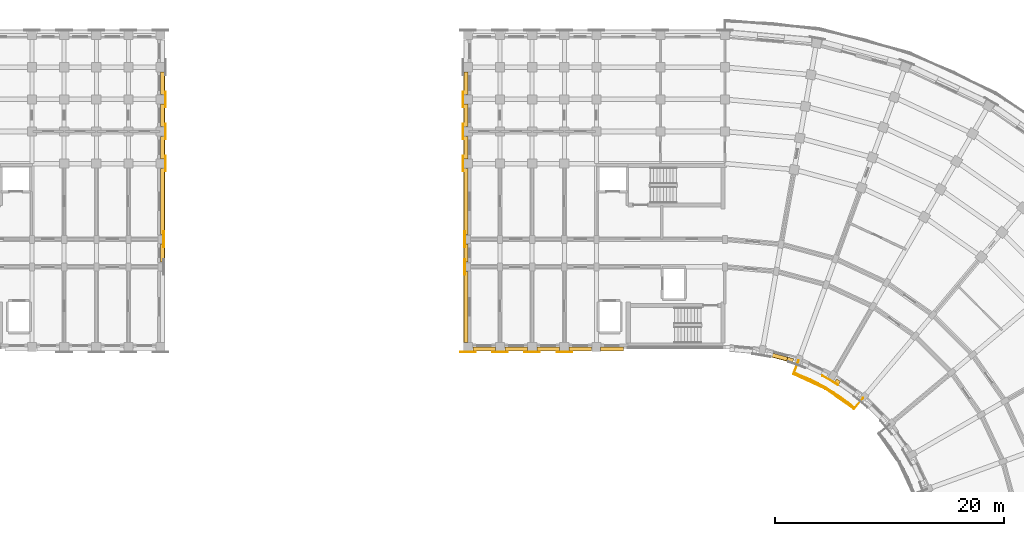
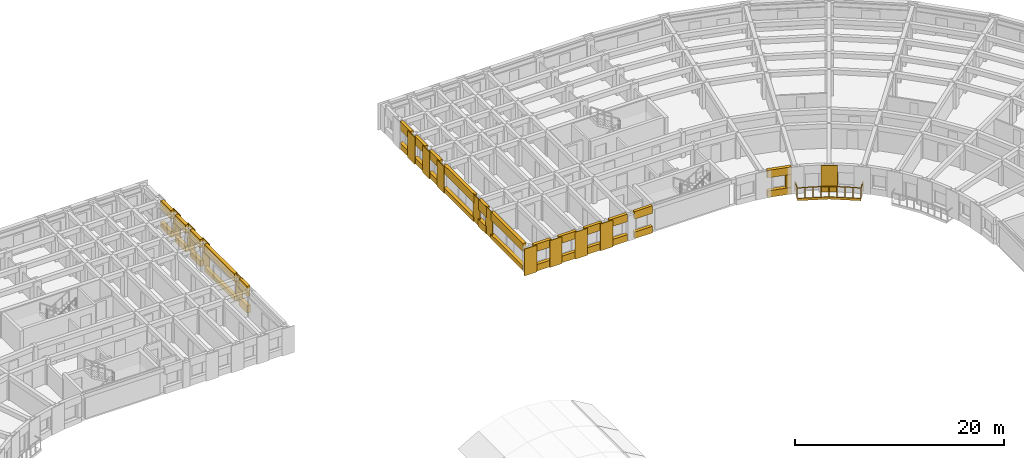
# One storey, part 48 of 54: 51 coverings, 1 railing.
"""IFC4 building model written with IfcOpenShell, lengths in metres."""

from ifc_helpers import new_model, si_unit, direction, frame, origin, origin_2d, place, context, subcontext, project, spatial, polyline, circle, outline, extrude, material, layer, layer_set, type_object, element, save


model = new_model("IFC4")

# Units and contexts
model_context = context("Model", 3, precision=1e-05, world=origin(), true_north=direction((0.0, 1.0)))
body_context = subcontext(model_context, "Body", "Model", "MODEL_VIEW")
ifc_project = project(units=[si_unit("LENGTHUNIT", "METRE"), si_unit("AREAUNIT", "SQUARE_METRE"), si_unit("VOLUMEUNIT", "CUBIC_METRE"), si_unit("PLANEANGLEUNIT", "RADIAN"), si_unit("MASSUNIT", "GRAM", prefix="KILO")], contexts=[model_context])

# Site, building, storey
site_placement = place(None, origin())
site = spatial("IfcSite", under=ifc_project, at=site_placement, CompositionType="ELEMENT")
building_placement = place(site_placement, origin())
building = spatial("IfcBuilding", under=site, at=building_placement, Name="Kiranvali Square Residences", CompositionType="ELEMENT")
storey_placement = place(building_placement, frame((0.0, 0.0, 15.0)))
storey = spatial("IfcBuildingStorey", under=building, at=storey_placement, Name="L04", CompositionType="ELEMENT", Elevation=15.0)

# Coverings
ifc_material_1 = material(Name="Carved Porbandar limestone classical entablature and cornice", Category="masonry")
ifc_layer_1 = layer(ifc_material_1, 0.06201171875)
ifc_layer_set_1 = layer_set([ifc_layer_1], Name="Carved Porbandar limestone classical entablature and cornice")
covering_type_1 = type_object("IfcCoveringType", Name="COV-CLAD-GBAL", PredefinedType="CLADDING", material=ifc_layer_set_1)
covering_1_placement = place(storey_placement, frame((0.0, 0.0, -0.219970703125)))
element("IfcCovering", 1, at=covering_1_placement, inside=storey, type_object=covering_type_1, Name="Block B L04 garden balcony limestone fascia 1", PredefinedType="CLADDING", context=body_context, shape_type="SweptSolid", body=[
    extrude(outline(polyline([(125.778564453125, 104.225830078125), (128.5400390625, 102.938232421875), (131.035888671875, 101.1904296875), (131.07958984375, 101.242431640625), (128.573974609375, 102.9970703125), (125.8017578125, 104.289794921875), (125.778564453125, 104.225830078125)])), origin(), (0.0, 0.0, 1.0), 0.27001953125),
])
ifc_material_2 = material(Name="Honed Porbandar limestone ashlar facade cladding", Category="masonry")
ifc_layer_2 = layer(ifc_material_2, 0.3798828125)
ifc_layer_set_2 = layer_set([ifc_layer_2], Name="Honed Porbandar limestone ashlar facade cladding")
covering_type_2 = type_object("IfcCoveringType", Name="COV-CLAD-JAMB", PredefinedType="CLADDING", material=ifc_layer_set_2)
covering_2_placement = place(storey_placement, frame((0.0, 0.0, 0.77197265625)))
element("IfcCovering", 2, at=covering_2_placement, inside=storey, type_object=covering_type_2, Name="L04 deep limestone window jamb reveal B-L04-GDN-01.R", PredefinedType="CLADDING", context=body_context, shape_type="SweptSolid", body=[
    extrude(outline(polyline([(125.187255859375, 105.3935546875), (125.717041015625, 105.251708984375), (125.804931640625, 105.57958984375), (125.27490234375, 105.7216796875), (125.187255859375, 105.3935546875)])), origin(), (0.0, 0.0, 1.0), 1.5),
])
covering_3_placement = place(storey_placement, frame((0.0, 0.0, 0.6220703125)))
element("IfcCovering", 3, at=covering_3_placement, inside=storey, type_object=covering_type_2, Name="L04 deep limestone window jamb reveal B-L04-GDN-03.L", PredefinedType="CLADDING", context=body_context, shape_type="SweptSolid", body=[
    extrude(outline(polyline([(129.365478515625, 103.55029296875), (129.69189453125, 103.32177734375), (129.88671875, 103.599853515625), (129.56005859375, 103.828369140625), (129.365478515625, 103.55029296875)])), origin(), (0.0, 0.0, 1.0), 1.64990234375),
])
ifc_layer_3 = layer(ifc_material_2, 0.050048828125)
ifc_layer_set_3 = layer_set([ifc_layer_3], Name="Honed Porbandar limestone ashlar facade cladding")
covering_type_3 = type_object("IfcCoveringType", Name="COV-CLAD-PIER-IN", PredefinedType="CLADDING", material=ifc_layer_set_3)
covering_4_placement = place(storey_placement, frame((0.0, 0.0, 0.0048828125)))
element("IfcCovering", 4, at=covering_4_placement, inside=storey, type_object=covering_type_3, Name="L04 Classical garden courtyard pilaster CLAD-PRIN-B-L04-A03", PredefinedType="CLADDING", context=body_context, shape_type="SweptSolid", body=[
    extrude(outline(polyline([(128.273193359375, 104.075927734375), (129.658935546875, 103.27587890625), (129.692626953125, 103.33447265625), (128.306884765625, 104.134521484375), (128.273193359375, 104.075927734375)])), origin(), (0.0, 0.0, 1.0), 3.14013671875),
])
covering_5_placement = place(storey_placement, frame((0.0, 0.0, 0.0048828125)))
element("IfcCovering", 5, at=covering_5_placement, inside=storey, type_object=covering_type_3, Name="L04 Classical limestone pilaster casing CLAD-PRA1I-B-L04-U140", PredefinedType="CLADDING", context=body_context, shape_type="SweptSolid", body=[
    extrude(outline(polyline([(106.47998046875, 106.199462890625), (105.1201171875, 106.199462890625), (105.1201171875, 106.132080078125), (106.47998046875, 106.132080078125), (106.47998046875, 106.199462890625)])), origin(), (0.0, 0.0, 1.0), 3.14013671875),
])
covering_6_placement = place(storey_placement, frame((0.0, 0.0, 0.0048828125)))
element("IfcCovering", 6, at=covering_6_placement, inside=storey, type_object=covering_type_3, Name="L04 Classical limestone pilaster casing CLAD-PRA1I-B-L04-U167", PredefinedType="CLADDING", context=body_context, shape_type="SweptSolid", body=[
    extrude(outline(polyline([(103.679931640625, 106.199462890625), (102.320068359375, 106.199462890625), (102.320068359375, 106.132080078125), (103.679931640625, 106.132080078125), (103.679931640625, 106.199462890625)])), origin(), (0.0, 0.0, 1.0), 3.14013671875),
])
covering_7_placement = place(storey_placement, frame((0.0, 0.0, 0.0048828125)))
element("IfcCovering", 7, at=covering_7_placement, inside=storey, type_object=covering_type_3, Name="L04 Classical limestone pilaster casing CLAD-PRA1I-B-L04-U195", PredefinedType="CLADDING", context=body_context, shape_type="SweptSolid", body=[
    extrude(outline(polyline([(100.8798828125, 106.199462890625), (99.52001953125, 106.199462890625), (99.52001953125, 106.132080078125), (100.8798828125, 106.132080078125), (100.8798828125, 106.199462890625)])), origin(), (0.0, 0.0, 1.0), 3.14013671875),
])
covering_8_placement = place(storey_placement, frame((0.0, 0.0, 0.0048828125)))
element("IfcCovering", 8, at=covering_8_placement, inside=storey, type_object=covering_type_3, Name="L04 Classical limestone pilaster casing CLAD-PRA1I-B-L04-U224", PredefinedType="CLADDING", context=body_context, shape_type="SweptSolid", body=[
    extrude(outline(polyline([(98.080078125, 106.199462890625), (96.719970703125, 106.199462890625), (96.719970703125, 106.132080078125), (98.080078125, 106.132080078125), (98.080078125, 106.199462890625)])), origin(), (0.0, 0.0, 1.0), 3.14013671875),
])
ifc_layer_4 = layer(ifc_material_2, 0.054931640625)
ifc_layer_set_4 = layer_set([ifc_layer_4], Name="Honed Porbandar limestone ashlar facade cladding")
covering_type_4 = type_object("IfcCoveringType", Name="COV-CLAD-PIER-UP", PredefinedType="CLADDING", material=ifc_layer_set_4)
covering_9_placement = place(storey_placement, frame((0.0, 0.0, 0.0048828125)))
element("IfcCovering", 9, at=covering_9_placement, inside=storey, type_object=covering_type_4, Name="L04 Classical limestone pilaster casing CLAD-PRA1E-A-L04-R282", PredefinedType="CLADDING", context=body_context, shape_type="SweptSolid", body=[
    extrude(outline(polyline([(70.91796875, 115.320068359375), (70.91796875, 116.679931640625), (70.8505859375, 116.679931640625), (70.8505859375, 115.320068359375), (70.91796875, 115.320068359375)])), origin(), (0.0, 0.0, 1.0), 3.14013671875),
])
covering_10_placement = place(storey_placement, frame((0.0, 0.0, 0.0048828125)))
element("IfcCovering", 10, at=covering_10_placement, inside=storey, type_object=covering_type_4, Name="L04 Classical limestone pilaster casing CLAD-PRA1E-A-L04-R348", PredefinedType="CLADDING", context=body_context, shape_type="SweptSolid", body=[
    extrude(outline(polyline([(71.068115234375, 121.919921875), (71.068115234375, 123.280029296875), (71.00048828125, 123.280029296875), (71.00048828125, 121.919921875), (71.068115234375, 121.919921875)])), origin(), (0.0, 0.0, 1.0), 3.14013671875),
])
covering_11_placement = place(storey_placement, frame((0.0, 0.0, 0.0048828125)))
element("IfcCovering", 11, at=covering_11_placement, inside=storey, type_object=covering_type_4, Name="L04 Classical limestone pilaster casing CLAD-PRA1E-A-L04-R376", PredefinedType="CLADDING", context=body_context, shape_type="SweptSolid", body=[
    extrude(outline(polyline([(71.068115234375, 124.719970703125), (71.068115234375, 126.080078125), (71.00048828125, 126.080078125), (71.00048828125, 124.719970703125), (71.068115234375, 124.719970703125)])), origin(), (0.0, 0.0, 1.0), 3.14013671875),
])
covering_12_placement = place(storey_placement, frame((0.0, 0.0, 0.0048828125)))
element("IfcCovering", 12, at=covering_12_placement, inside=storey, type_object=covering_type_4, Name="L04 Classical limestone pilaster casing CLAD-PRA1E-A-L04-R404", PredefinedType="CLADDING", context=body_context, shape_type="SweptSolid", body=[
    extrude(outline(polyline([(71.068115234375, 127.52001953125), (71.068115234375, 128.8798828125), (71.00048828125, 128.8798828125), (71.00048828125, 127.52001953125), (71.068115234375, 127.52001953125)])), origin(), (0.0, 0.0, 1.0), 3.14013671875),
])
covering_13_placement = place(storey_placement, frame((0.0, 0.0, 0.0048828125)))
element("IfcCovering", 13, at=covering_13_placement, inside=storey, type_object=covering_type_4, Name="L04 Classical limestone pilaster casing CLAD-PRA1E-B-L04-R258", PredefinedType="CLADDING", context=body_context, shape_type="SweptSolid", body=[
    extrude(outline(polyline([(97.1494140625, 112.919921875), (97.1494140625, 114.280029296875), (97.08203125, 114.280029296875), (97.08203125, 112.919921875), (97.1494140625, 112.919921875)])), origin(), (0.0, 0.0, 1.0), 3.14013671875),
])
covering_14_placement = place(storey_placement, frame((0.0, 0.0, 0.0048828125)))
element("IfcCovering", 14, at=covering_14_placement, inside=storey, type_object=covering_type_4, Name="L04 Classical limestone pilaster casing CLAD-PRA1E-B-L04-R282", PredefinedType="CLADDING", context=body_context, shape_type="SweptSolid", body=[
    extrude(outline(polyline([(97.1494140625, 115.320068359375), (97.1494140625, 116.679931640625), (97.08203125, 116.679931640625), (97.08203125, 115.320068359375), (97.1494140625, 115.320068359375)])), origin(), (0.0, 0.0, 1.0), 3.14013671875),
])
covering_15_placement = place(storey_placement, frame((0.0, 0.0, 0.0048828125)))
element("IfcCovering", 15, at=covering_15_placement, inside=storey, type_object=covering_type_4, Name="L04 Classical limestone pilaster casing CLAD-PRA1E-B-L04-R348", PredefinedType="CLADDING", context=body_context, shape_type="SweptSolid", body=[
    extrude(outline(polyline([(96.99951171875, 121.919921875), (96.99951171875, 123.280029296875), (96.931884765625, 123.280029296875), (96.931884765625, 121.919921875), (96.99951171875, 121.919921875)])), origin(), (0.0, 0.0, 1.0), 3.14013671875),
])
covering_16_placement = place(storey_placement, frame((0.0, 0.0, 0.0048828125)))
element("IfcCovering", 16, at=covering_16_placement, inside=storey, type_object=covering_type_4, Name="L04 Classical limestone pilaster casing CLAD-PRA1E-B-L04-R376", PredefinedType="CLADDING", context=body_context, shape_type="SweptSolid", body=[
    extrude(outline(polyline([(96.99951171875, 124.719970703125), (96.99951171875, 126.080078125), (96.931884765625, 126.080078125), (96.931884765625, 124.719970703125), (96.99951171875, 124.719970703125)])), origin(), (0.0, 0.0, 1.0), 3.14013671875),
])
covering_17_placement = place(storey_placement, frame((0.0, 0.0, 0.0048828125)))
element("IfcCovering", 17, at=covering_17_placement, inside=storey, type_object=covering_type_4, Name="L04 Classical limestone pilaster casing CLAD-PRA1E-B-L04-R404", PredefinedType="CLADDING", context=body_context, shape_type="SweptSolid", body=[
    extrude(outline(polyline([(96.99951171875, 127.52001953125), (96.99951171875, 128.8798828125), (96.931884765625, 128.8798828125), (96.931884765625, 127.52001953125), (96.99951171875, 127.52001953125)])), origin(), (0.0, 0.0, 1.0), 3.14013671875),
])
ifc_layer_5 = layer(ifc_material_2, 0.360107421875)
ifc_layer_set_5 = layer_set([ifc_layer_5], Name="Honed Porbandar limestone ashlar facade cladding")
covering_type_5 = type_object("IfcCoveringType", Name="COV-CLAD-WALL", PredefinedType="CLADDING", material=ifc_layer_set_5)
covering_18_placement = place(storey_placement, frame((0.0, 0.0, 1.929931640625)))
element("IfcCovering", 18, at=covering_18_placement, inside=storey, type_object=covering_type_5, Name="L04 light limestone spandrel lintel A-L04-A1END-1", PredefinedType="CLADDING", context=body_context, shape_type="SweptSolid", body=[
    extrude(outline(polyline([(70.93994140625, 114.02001953125), (70.93994140625, 115.580078125), (70.6005859375, 115.580078125), (70.6005859375, 114.02001953125), (70.93994140625, 114.02001953125)])), origin(), (0.0, 0.0, 1.0), 1.215087890625),
])
covering_19_placement = place(storey_placement, frame((0.0, 0.0, 0.0048828125)))
element("IfcCovering", 19, at=covering_19_placement, inside=storey, type_object=covering_type_5, Name="L04 limestone window sill apron A-L04-A1END-1", PredefinedType="CLADDING", context=body_context, shape_type="SweptSolid", body=[
    extrude(outline(polyline([(70.969970703125, 114.02001953125), (70.969970703125, 115.580078125), (70.6005859375, 115.580078125), (70.6005859375, 114.02001953125), (70.969970703125, 114.02001953125)])), origin(), (0.0, 0.0, 1.0), 0.875),
])
covering_20_placement = place(storey_placement, frame((0.0, 0.0, 2.172119140625)))
element("IfcCovering", 20, at=covering_20_placement, inside=storey, type_object=covering_type_5, Name="L04 light limestone spandrel lintel A-L04-A1END-2", PredefinedType="CLADDING", context=body_context, shape_type="SweptSolid", body=[
    extrude(outline(polyline([(70.93994140625, 116.419921875), (70.93994140625, 122.179931640625), (70.6005859375, 122.179931640625), (70.6005859375, 116.419921875), (70.93994140625, 116.419921875)])), origin(), (0.0, 0.0, 1.0), 0.972900390625),
])
covering_21_placement = place(storey_placement, frame((0.0, 0.0, 0.0048828125)))
element("IfcCovering", 21, at=covering_21_placement, inside=storey, type_object=covering_type_5, Name="L04 limestone window sill apron A-L04-A1END-2", PredefinedType="CLADDING", context=body_context, shape_type="SweptSolid", body=[
    extrude(outline(polyline([(70.969970703125, 116.419921875), (70.969970703125, 122.179931640625), (70.6005859375, 122.179931640625), (70.6005859375, 116.419921875), (70.969970703125, 116.419921875)])), origin(), (0.0, 0.0, 1.0), 0.51708984375),
])
covering_22_placement = place(storey_placement, frame((0.0, 0.0, 2.172119140625)))
element("IfcCovering", 22, at=covering_22_placement, inside=storey, type_object=covering_type_5, Name="L04 light limestone spandrel lintel A-L04-A1END-3", PredefinedType="CLADDING", context=body_context, shape_type="SweptSolid", body=[
    extrude(outline(polyline([(70.93994140625, 123.02001953125), (70.93994140625, 124.97998046875), (70.6005859375, 124.97998046875), (70.6005859375, 123.02001953125), (70.93994140625, 123.02001953125)])), origin(), (0.0, 0.0, 1.0), 0.972900390625),
])
covering_23_placement = place(storey_placement, frame((0.0, 0.0, 0.0048828125)))
element("IfcCovering", 23, at=covering_23_placement, inside=storey, type_object=covering_type_5, Name="L04 limestone window sill apron A-L04-A1END-3", PredefinedType="CLADDING", context=body_context, shape_type="SweptSolid", body=[
    extrude(outline(polyline([(70.969970703125, 123.02001953125), (70.969970703125, 124.97998046875), (70.6005859375, 124.97998046875), (70.6005859375, 123.02001953125), (70.969970703125, 123.02001953125)])), origin(), (0.0, 0.0, 1.0), 0.667236328125),
])
covering_24_placement = place(storey_placement, frame((0.0, 0.0, 2.172119140625)))
element("IfcCovering", 24, at=covering_24_placement, inside=storey, type_object=covering_type_5, Name="L04 light limestone spandrel lintel A-L04-A1END-4", PredefinedType="CLADDING", context=body_context, shape_type="SweptSolid", body=[
    extrude(outline(polyline([(70.93994140625, 125.820068359375), (70.93994140625, 127.780029296875), (70.6005859375, 127.780029296875), (70.6005859375, 125.820068359375), (70.93994140625, 125.820068359375)])), origin(), (0.0, 0.0, 1.0), 0.972900390625),
])
covering_25_placement = place(storey_placement, frame((0.0, 0.0, 0.0048828125)))
element("IfcCovering", 25, at=covering_25_placement, inside=storey, type_object=covering_type_5, Name="L04 limestone window sill apron A-L04-A1END-4", PredefinedType="CLADDING", context=body_context, shape_type="SweptSolid", body=[
    extrude(outline(polyline([(70.969970703125, 125.820068359375), (70.969970703125, 127.780029296875), (70.6005859375, 127.780029296875), (70.6005859375, 125.820068359375), (70.969970703125, 125.820068359375)])), origin(), (0.0, 0.0, 1.0), 0.667236328125),
])
covering_26_placement = place(storey_placement, frame((0.0, 0.0, 2.172119140625)))
element("IfcCovering", 26, at=covering_26_placement, inside=storey, type_object=covering_type_5, Name="L04 light limestone spandrel lintel A-L04-A1END-5", PredefinedType="CLADDING", context=body_context, shape_type="SweptSolid", body=[
    extrude(outline(polyline([(70.93994140625, 128.6201171875), (70.93994140625, 130.580078125), (70.6005859375, 130.580078125), (70.6005859375, 128.6201171875), (70.93994140625, 128.6201171875)])), origin(), (0.0, 0.0, 1.0), 0.972900390625),
])
covering_27_placement = place(storey_placement, frame((0.0, 0.0, 0.0048828125)))
element("IfcCovering", 27, at=covering_27_placement, inside=storey, type_object=covering_type_5, Name="L04 limestone window sill apron A-L04-A1END-5", PredefinedType="CLADDING", context=body_context, shape_type="SweptSolid", body=[
    extrude(outline(polyline([(70.969970703125, 128.6201171875), (70.969970703125, 130.580078125), (70.6005859375, 130.580078125), (70.6005859375, 128.6201171875), (70.969970703125, 128.6201171875)])), origin(), (0.0, 0.0, 1.0), 0.667236328125),
])
covering_28_placement = place(storey_placement, frame((0.0, 0.0, 2.27197265625)))
element("IfcCovering", 28, at=covering_28_placement, inside=storey, type_object=covering_type_5, Name="L04 light limestone spandrel lintel B-L04-GDN-01", PredefinedType="CLADDING", context=body_context, shape_type="SweptSolid", body=[
    extrude(outline(polyline([(123.401611328125, 105.8720703125), (125.717041015625, 105.251708984375), (125.804931640625, 105.57958984375), (123.489501953125, 106.199951171875), (123.401611328125, 105.8720703125)])), origin(), (0.0, 0.0, 1.0), 0.873046875),
])
covering_29_placement = place(storey_placement, frame((0.0, 0.0, 2.27197265625)))
element("IfcCovering", 29, at=covering_29_placement, inside=storey, type_object=covering_type_5, Name="L04 light limestone spandrel lintel B-L04-A1IN-0", PredefinedType="CLADDING", context=body_context, shape_type="SweptSolid", body=[
    extrude(outline(polyline([(110.949951171875, 106.599609375), (108.949951171875, 106.599609375), (108.949951171875, 106.280029296875), (110.949951171875, 106.280029296875), (110.949951171875, 106.599609375)])), origin(), (0.0, 0.0, 1.0), 0.873046875),
])
covering_30_placement = place(storey_placement, frame((0.0, 0.0, 0.0048828125)))
element("IfcCovering", 30, at=covering_30_placement, inside=storey, type_object=covering_type_5, Name="L04 limestone window sill apron B-L04-A1IN-0", PredefinedType="CLADDING", context=body_context, shape_type="SweptSolid", body=[
    extrude(outline(polyline([(110.949951171875, 106.599609375), (108.949951171875, 106.599609375), (108.949951171875, 106.25), (110.949951171875, 106.25), (110.949951171875, 106.599609375)])), origin(), (0.0, 0.0, 1.0), 0.76708984375),
])
covering_31_placement = place(storey_placement, frame((0.0, 0.0, 2.27197265625)))
element("IfcCovering", 31, at=covering_31_placement, inside=storey, type_object=covering_type_5, Name="L04 light limestone spandrel lintel B-L04-A1I-0", PredefinedType="CLADDING", context=body_context, shape_type="SweptSolid", body=[
    extrude(outline(polyline([(108.179931640625, 106.599609375), (106.219970703125, 106.599609375), (106.219970703125, 106.280029296875), (108.179931640625, 106.280029296875), (108.179931640625, 106.599609375)])), origin(), (0.0, 0.0, 1.0), 0.873046875),
])
covering_32_placement = place(storey_placement, frame((0.0, 0.0, 0.0048828125)))
element("IfcCovering", 32, at=covering_32_placement, inside=storey, type_object=covering_type_5, Name="L04 limestone window sill apron B-L04-A1I-0", PredefinedType="CLADDING", context=body_context, shape_type="SweptSolid", body=[
    extrude(outline(polyline([(108.179931640625, 106.599609375), (106.219970703125, 106.599609375), (106.219970703125, 106.25), (108.179931640625, 106.25), (108.179931640625, 106.599609375)])), origin(), (0.0, 0.0, 1.0), 0.76708984375),
])
covering_33_placement = place(storey_placement, frame((0.0, 0.0, 2.27197265625)))
element("IfcCovering", 33, at=covering_33_placement, inside=storey, type_object=covering_type_5, Name="L04 light limestone spandrel lintel B-L04-A1I-1", PredefinedType="CLADDING", context=body_context, shape_type="SweptSolid", body=[
    extrude(outline(polyline([(105.3798828125, 106.599609375), (103.419921875, 106.599609375), (103.419921875, 106.280029296875), (105.3798828125, 106.280029296875), (105.3798828125, 106.599609375)])), origin(), (0.0, 0.0, 1.0), 0.873046875),
])
covering_34_placement = place(storey_placement, frame((0.0, 0.0, 0.0048828125)))
element("IfcCovering", 34, at=covering_34_placement, inside=storey, type_object=covering_type_5, Name="L04 limestone window sill apron B-L04-A1I-1", PredefinedType="CLADDING", context=body_context, shape_type="SweptSolid", body=[
    extrude(outline(polyline([(105.3798828125, 106.599609375), (103.419921875, 106.599609375), (103.419921875, 106.25), (105.3798828125, 106.25), (105.3798828125, 106.599609375)])), origin(), (0.0, 0.0, 1.0), 0.76708984375),
])
covering_35_placement = place(storey_placement, frame((0.0, 0.0, 2.27197265625)))
element("IfcCovering", 35, at=covering_35_placement, inside=storey, type_object=covering_type_5, Name="L04 light limestone spandrel lintel B-L04-A1I-2", PredefinedType="CLADDING", context=body_context, shape_type="SweptSolid", body=[
    extrude(outline(polyline([(102.580078125, 106.599609375), (100.6201171875, 106.599609375), (100.6201171875, 106.280029296875), (102.580078125, 106.280029296875), (102.580078125, 106.599609375)])), origin(), (0.0, 0.0, 1.0), 0.873046875),
])
covering_36_placement = place(storey_placement, frame((0.0, 0.0, 0.0048828125)))
element("IfcCovering", 36, at=covering_36_placement, inside=storey, type_object=covering_type_5, Name="L04 limestone window sill apron B-L04-A1I-2", PredefinedType="CLADDING", context=body_context, shape_type="SweptSolid", body=[
    extrude(outline(polyline([(102.580078125, 106.599609375), (100.6201171875, 106.599609375), (100.6201171875, 106.25), (102.580078125, 106.25), (102.580078125, 106.599609375)])), origin(), (0.0, 0.0, 1.0), 0.76708984375),
])
covering_37_placement = place(storey_placement, frame((0.0, 0.0, 2.27197265625)))
element("IfcCovering", 37, at=covering_37_placement, inside=storey, type_object=covering_type_5, Name="L04 light limestone spandrel lintel B-L04-A1I-3", PredefinedType="CLADDING", context=body_context, shape_type="SweptSolid", body=[
    extrude(outline(polyline([(99.780029296875, 106.599609375), (97.820068359375, 106.599609375), (97.820068359375, 106.280029296875), (99.780029296875, 106.280029296875), (99.780029296875, 106.599609375)])), origin(), (0.0, 0.0, 1.0), 0.873046875),
])
covering_38_placement = place(storey_placement, frame((0.0, 0.0, 0.0048828125)))
element("IfcCovering", 38, at=covering_38_placement, inside=storey, type_object=covering_type_5, Name="L04 limestone window sill apron B-L04-A1I-3", PredefinedType="CLADDING", context=body_context, shape_type="SweptSolid", body=[
    extrude(outline(polyline([(99.780029296875, 106.599609375), (97.820068359375, 106.599609375), (97.820068359375, 106.25), (99.780029296875, 106.25), (99.780029296875, 106.599609375)])), origin(), (0.0, 0.0, 1.0), 0.76708984375),
])
covering_39_placement = place(storey_placement, frame((0.0, 0.0, 2.172119140625)))
element("IfcCovering", 39, at=covering_39_placement, inside=storey, type_object=covering_type_5, Name="L04 light limestone spandrel lintel B-L04-A1END-0", PredefinedType="CLADDING", context=body_context, shape_type="SweptSolid", body=[
    extrude(outline(polyline([(97.3994140625, 107.02001953125), (97.3994140625, 113.179931640625), (97.06005859375, 113.179931640625), (97.06005859375, 107.02001953125), (97.3994140625, 107.02001953125)])), origin(), (0.0, 0.0, 1.0), 0.972900390625),
])
covering_40_placement = place(storey_placement, frame((0.0, 0.0, 0.0048828125)))
element("IfcCovering", 40, at=covering_40_placement, inside=storey, type_object=covering_type_5, Name="L04 limestone window sill apron B-L04-A1END-0", PredefinedType="CLADDING", context=body_context, shape_type="SweptSolid", body=[
    extrude(outline(polyline([(97.3994140625, 107.02001953125), (97.3994140625, 113.179931640625), (97.030029296875, 113.179931640625), (97.030029296875, 107.02001953125), (97.3994140625, 107.02001953125)])), origin(), (0.0, 0.0, 1.0), 0.51708984375),
])
covering_41_placement = place(storey_placement, frame((0.0, 0.0, 1.929931640625)))
element("IfcCovering", 41, at=covering_41_placement, inside=storey, type_object=covering_type_5, Name="L04 light limestone spandrel lintel B-L04-A1END-1", PredefinedType="CLADDING", context=body_context, shape_type="SweptSolid", body=[
    extrude(outline(polyline([(97.3994140625, 114.02001953125), (97.3994140625, 115.580078125), (97.06005859375, 115.580078125), (97.06005859375, 114.02001953125), (97.3994140625, 114.02001953125)])), origin(), (0.0, 0.0, 1.0), 1.215087890625),
])
covering_42_placement = place(storey_placement, frame((0.0, 0.0, 0.0048828125)))
element("IfcCovering", 42, at=covering_42_placement, inside=storey, type_object=covering_type_5, Name="L04 limestone window sill apron B-L04-A1END-1", PredefinedType="CLADDING", context=body_context, shape_type="SweptSolid", body=[
    extrude(outline(polyline([(97.3994140625, 114.02001953125), (97.3994140625, 115.580078125), (97.030029296875, 115.580078125), (97.030029296875, 114.02001953125), (97.3994140625, 114.02001953125)])), origin(), (0.0, 0.0, 1.0), 0.875),
])
covering_43_placement = place(storey_placement, frame((0.0, 0.0, 2.172119140625)))
element("IfcCovering", 43, at=covering_43_placement, inside=storey, type_object=covering_type_5, Name="L04 light limestone spandrel lintel B-L04-A1END-2", PredefinedType="CLADDING", context=body_context, shape_type="SweptSolid", body=[
    extrude(outline(polyline([(97.3994140625, 116.419921875), (97.3994140625, 122.179931640625), (97.06005859375, 122.179931640625), (97.06005859375, 116.419921875), (97.3994140625, 116.419921875)])), origin(), (0.0, 0.0, 1.0), 0.972900390625),
])
covering_44_placement = place(storey_placement, frame((0.0, 0.0, 0.0048828125)))
element("IfcCovering", 44, at=covering_44_placement, inside=storey, type_object=covering_type_5, Name="L04 limestone window sill apron B-L04-A1END-2", PredefinedType="CLADDING", context=body_context, shape_type="SweptSolid", body=[
    extrude(outline(polyline([(97.3994140625, 116.419921875), (97.3994140625, 122.179931640625), (97.030029296875, 122.179931640625), (97.030029296875, 116.419921875), (97.3994140625, 116.419921875)])), origin(), (0.0, 0.0, 1.0), 0.51708984375),
])
covering_45_placement = place(storey_placement, frame((0.0, 0.0, 2.172119140625)))
element("IfcCovering", 45, at=covering_45_placement, inside=storey, type_object=covering_type_5, Name="L04 light limestone spandrel lintel B-L04-A1END-3", PredefinedType="CLADDING", context=body_context, shape_type="SweptSolid", body=[
    extrude(outline(polyline([(97.3994140625, 123.02001953125), (97.3994140625, 124.97998046875), (97.06005859375, 124.97998046875), (97.06005859375, 123.02001953125), (97.3994140625, 123.02001953125)])), origin(), (0.0, 0.0, 1.0), 0.972900390625),
])
covering_46_placement = place(storey_placement, frame((0.0, 0.0, 0.0048828125)))
element("IfcCovering", 46, at=covering_46_placement, inside=storey, type_object=covering_type_5, Name="L04 limestone window sill apron B-L04-A1END-3", PredefinedType="CLADDING", context=body_context, shape_type="SweptSolid", body=[
    extrude(outline(polyline([(97.3994140625, 123.02001953125), (97.3994140625, 124.97998046875), (97.030029296875, 124.97998046875), (97.030029296875, 123.02001953125), (97.3994140625, 123.02001953125)])), origin(), (0.0, 0.0, 1.0), 0.667236328125),
])
covering_47_placement = place(storey_placement, frame((0.0, 0.0, 2.172119140625)))
element("IfcCovering", 47, at=covering_47_placement, inside=storey, type_object=covering_type_5, Name="L04 light limestone spandrel lintel B-L04-A1END-4", PredefinedType="CLADDING", context=body_context, shape_type="SweptSolid", body=[
    extrude(outline(polyline([(97.3994140625, 125.820068359375), (97.3994140625, 127.780029296875), (97.06005859375, 127.780029296875), (97.06005859375, 125.820068359375), (97.3994140625, 125.820068359375)])), origin(), (0.0, 0.0, 1.0), 0.972900390625),
])
covering_48_placement = place(storey_placement, frame((0.0, 0.0, 0.0048828125)))
element("IfcCovering", 48, at=covering_48_placement, inside=storey, type_object=covering_type_5, Name="L04 limestone window sill apron B-L04-A1END-4", PredefinedType="CLADDING", context=body_context, shape_type="SweptSolid", body=[
    extrude(outline(polyline([(97.3994140625, 125.820068359375), (97.3994140625, 127.780029296875), (97.030029296875, 127.780029296875), (97.030029296875, 125.820068359375), (97.3994140625, 125.820068359375)])), origin(), (0.0, 0.0, 1.0), 0.667236328125),
])
covering_49_placement = place(storey_placement, frame((0.0, 0.0, 2.172119140625)))
element("IfcCovering", 49, at=covering_49_placement, inside=storey, type_object=covering_type_5, Name="L04 light limestone spandrel lintel B-L04-A1END-5", PredefinedType="CLADDING", context=body_context, shape_type="SweptSolid", body=[
    extrude(outline(polyline([(97.3994140625, 128.6201171875), (97.3994140625, 130.580078125), (97.06005859375, 130.580078125), (97.06005859375, 128.6201171875), (97.3994140625, 128.6201171875)])), origin(), (0.0, 0.0, 1.0), 0.972900390625),
])
covering_50_placement = place(storey_placement, frame((0.0, 0.0, 0.0048828125)))
element("IfcCovering", 50, at=covering_50_placement, inside=storey, type_object=covering_type_5, Name="L04 limestone window sill apron B-L04-A1END-5", PredefinedType="CLADDING", context=body_context, shape_type="SweptSolid", body=[
    extrude(outline(polyline([(97.3994140625, 128.6201171875), (97.3994140625, 130.580078125), (97.030029296875, 130.580078125), (97.030029296875, 128.6201171875), (97.3994140625, 128.6201171875)])), origin(), (0.0, 0.0, 1.0), 0.667236328125),
])
ifc_layer_6 = layer(ifc_material_2, 0.2900390625)
ifc_layer_set_6 = layer_set([ifc_layer_6], Name="Honed Porbandar limestone ashlar facade cladding")
covering_type_6 = type_object("IfcCoveringType", Name="COV-CLAD-WALL-IN", PredefinedType="CLADDING", material=ifc_layer_set_6)
covering_51_placement = place(storey_placement, frame((0.0, 0.0, 0.0048828125)))
element("IfcCovering", 51, at=covering_51_placement, inside=storey, type_object=covering_type_6, Name="L04 limestone window sill apron B-L04-GDN-01", PredefinedType="CLADDING", context=body_context, shape_type="SweptSolid", body=[
    extrude(outline(polyline([(123.393798828125, 105.843017578125), (125.709228515625, 105.22265625), (125.804931640625, 105.57958984375), (123.489501953125, 106.199951171875), (123.393798828125, 105.843017578125)])), origin(), (0.0, 0.0, 1.0), 0.76708984375),
])

# Railing
ifc_material_3 = material(Name="Powder-coated architectural bronze balustrade", Category="steel")
railing_type = type_object("IfcRailingType", Name="RL-BAL-GOLD-1200", PredefinedType="BALUSTRADE", material=ifc_material_3)
railing_placement = place(storey_placement, frame((126.21630859375, 105.4287109375, 0.0)))
element("IfcRailing", 52, at=railing_placement, inside=storey, type_object=railing_type, Name="Block B L04 garden balcony gold balustrade 1", PredefinedType="BALUSTRADE", context=body_context, shape_type="SweptSolid", body=[
    extrude(circle(Radius=0.02392578125, at=origin_2d()), frame((0.0, 0.0, 1.17578125), z_axis=(-0.341964618562, -0.939712828289, 0.0), x_axis=(0.939712828289, -0.341964618562, 0.0)), (0.0, 0.0, 1.0), 1.150146484375),
    extrude(circle(Radius=0.02392578125, at=origin_2d()), frame((-0.393310546875, -1.080810546875, 1.17578125), z_axis=(0.923892883829, -0.382651197843, 0.0), x_axis=(0.382651197843, 0.923892883829, 0.0)), (0.0, 0.0, 1.0), 1.536376953125),
    extrude(circle(Radius=0.02392578125, at=origin_2d()), frame((1.026123046875, -1.668701171875, 1.17578125), z_axis=(0.887029366154, -0.461713009976, 0.0), x_axis=(0.461713009976, 0.887029366154, 0.0)), (0.0, 0.0, 1.0), 1.5361328125),
    extrude(circle(Radius=0.02392578125, at=origin_2d()), frame((2.388671875, -2.3779296875, 1.17578125), z_axis=(0.843386539688, -0.537307309343, 0.0), x_axis=(0.537307309343, 0.843386539688, 0.0)), (0.0, 0.0, 1.0), 1.5361328125),
    extrude(circle(Radius=0.02392578125, at=origin_2d()), frame((3.684326171875, -3.203369140625, 1.17578125), z_axis=(0.793314680996, -0.608811807471, 0.0), x_axis=(0.608811807471, 0.793314680996, 0.0)), (0.0, 0.0, 1.0), 1.536376953125),
    extrude(circle(Radius=0.02392578125, at=origin_2d()), frame((4.903076171875, -4.138671875, 1.17578125), z_axis=(0.642853454051, 0.765989188314, 0.0), x_axis=(-0.765989188314, 0.642853454051, 0.0)), (0.0, 0.0, 1.0), 1.14990234375),
    extrude(circle(Radius=0.02099609375, at=origin_2d()), origin(), (0.0, 0.0, 1.0), 1.15185546875),
    extrude(circle(Radius=0.02099609375, at=origin_2d()), frame((-0.393310546875, -1.080810546875, 0.0)), (0.0, 0.0, 1.0), 1.15185546875),
    extrude(circle(Radius=0.02099609375, at=origin_2d()), frame((0.31640625, -1.374755859375, 0.0)), (0.0, 0.0, 1.0), 1.15185546875),
    extrude(circle(Radius=0.02099609375, at=origin_2d()), frame((1.026123046875, -1.668701171875, 0.0)), (0.0, 0.0, 1.0), 1.15185546875),
    extrude(circle(Radius=0.02099609375, at=origin_2d()), frame((1.70751953125, -2.0234375, 0.0)), (0.0, 0.0, 1.0), 1.15185546875),
    extrude(circle(Radius=0.02099609375, at=origin_2d()), frame((2.388671875, -2.3779296875, 0.0)), (0.0, 0.0, 1.0), 1.15185546875),
    extrude(circle(Radius=0.02099609375, at=origin_2d()), frame((3.03662109375, -2.79052734375, 0.0)), (0.0, 0.0, 1.0), 1.15185546875),
    extrude(circle(Radius=0.02099609375, at=origin_2d()), frame((3.684326171875, -3.203369140625, 0.0)), (0.0, 0.0, 1.0), 1.15185546875),
    extrude(circle(Radius=0.02099609375, at=origin_2d()), frame((4.293701171875, -3.6708984375, 0.0)), (0.0, 0.0, 1.0), 1.15185546875),
    extrude(circle(Radius=0.02099609375, at=origin_2d()), frame((4.903076171875, -4.138671875, 0.0)), (0.0, 0.0, 1.0), 1.15185546875),
    extrude(circle(Radius=0.02099609375, at=origin_2d()), frame((5.642333984375, -3.2578125, 0.0)), (0.0, 0.0, 1.0), 1.15185546875),
])

save(model, "model.ifc")
